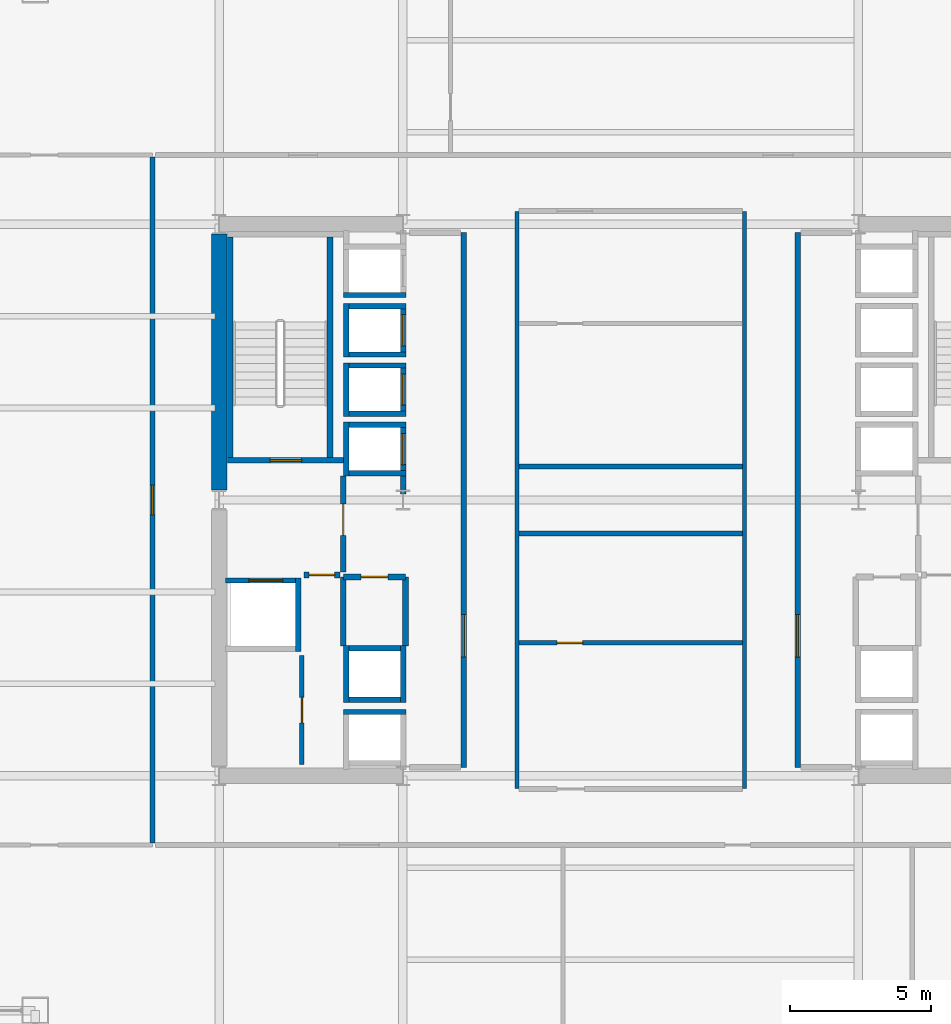
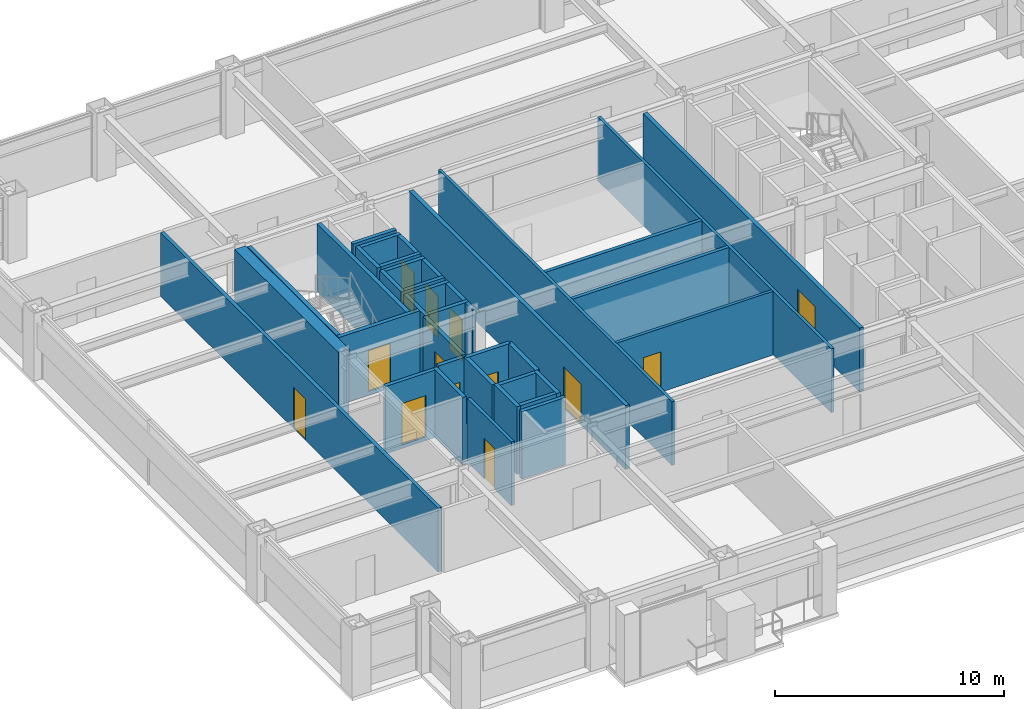
# One storey, part 26 of 31: 38 walls, 13 doors, 13 openings.
"""IFC4 building model written with IfcOpenShell, lengths in metres."""

from ifc_helpers import new_model, si_unit, direction, frame, frame_2d, origin, place, context, subcontext, project, spatial, rectangle, extrude, material, layer, layer_set, type_object, element, fill, save


model = new_model("IFC4")

# Units and contexts
model_context = context("Model", 3, precision=1e-05, world=origin(), true_north=direction((0.0, 1.0)))
body_context = subcontext(model_context, "Body", "Model", "MODEL_VIEW")
ifc_project = project(units=[si_unit("LENGTHUNIT", "METRE"), si_unit("AREAUNIT", "SQUARE_METRE"), si_unit("VOLUMEUNIT", "CUBIC_METRE"), si_unit("PLANEANGLEUNIT", "RADIAN"), si_unit("MASSUNIT", "GRAM", prefix="KILO")], contexts=[model_context])

# Site, building, storey
site_placement = place(None, origin())
site = spatial("IfcSite", under=ifc_project, at=site_placement, CompositionType="ELEMENT")
building_placement = place(site_placement, origin())
building = spatial("IfcBuilding", under=site, at=building_placement, Name="Brelmoor Portico Tower", CompositionType="ELEMENT")
storey_placement = place(building_placement, frame((0.0, 0.0, 27.60009765625)))
storey = spatial("IfcBuildingStorey", under=building, at=storey_placement, Name="L06", CompositionType="ELEMENT", Elevation=27.60009765625)

# Walls
ifc_material_1 = material(Name="Concrete C60", Category="concrete")
ifc_layer_1 = layer(ifc_material_1, 0.550048828125)
ifc_layer_set_1 = layer_set([ifc_layer_1], Name="Concrete C60")
wall_type_1 = type_object("IfcWallType", Name="WL-CORE-550", PredefinedType="SHEAR", material=ifc_layer_set_1)
wall_1_placement = place(storey_placement, frame((-14.550048828125, 0.35009765625, -0.2001953125), z_axis=(0.0, 0.0, 1.0), x_axis=(0.0, 1.0, 0.0)))
element("IfcWall", 1, at=wall_1_placement, inside=storey, type_object=wall_type_1, Name="L06 WC Outer North Shear Wall", PredefinedType="SHEAR", context=body_context, shape_type="SweptSolid", body=[
    extrude(rectangle(XDim=9.0498046875, YDim=0.550048828125, at=frame_2d((4.52490234375, 0.0))), origin(), (0.0, 0.0, 1.0), 3.60009765625),
])
ifc_material_2 = material(Name="Wet-Area Moisture-Resistant Partition", Category="gypsum")
ifc_layer_2 = layer(ifc_material_2, 0.14990234375)
ifc_layer_set_2 = layer_set([ifc_layer_2], Name="Wet-Area Moisture-Resistant Partition")
wall_type_2 = type_object("IfcWallType", Name="WL-PART-150", PredefinedType="PARTITIONING", material=ifc_layer_set_2)
for number, where, z_axis, x_axis, name in (
    (2, (-4.02001953125, -10.199951171875, 0.0), (0.0, 0.0, 1.0), (0.0, 1.0, 0.0), "L06 Central Suite West Wall"),
    (3, (4.02001953125, -10.199951171875, 0.0), (0.0, 0.0, 1.0), (0.0, 1.0, 0.0), "L06 Central Suite East Wall"),
):
    element("IfcWall", number, at=place(storey_placement, frame(where, z_axis=z_axis, x_axis=x_axis)), inside=storey, type_object=wall_type_2, Name=name, PredefinedType="PARTITIONING", context=body_context, shape_type="SweptSolid", body=[
        extrude(rectangle(XDim=20.39990234375, YDim=0.14990234375, at=frame_2d((10.199951171875, 0.0))), origin(), (0.0, 0.0, 1.0), 3.39990234375),
    ])

# Wall, opening, door
wall_2_placement = place(storey_placement, frame((-3.949951171875, -5.050048828125, 0.0), z_axis=(0.0, 0.0, 1.0), x_axis=(1.0, 0.0, 0.0)))
wall_2 = element("IfcWall", 4, at=wall_2_placement, inside=storey, type_object=wall_type_2, Name="L06 Central Print Divider", PredefinedType="PARTITIONING", context=body_context, shape_type="SweptSolid", body=[
    extrude(rectangle(XDim=7.89990234375, YDim=0.14990234375, at=frame_2d((3.949951171875, 0.0))), origin(), (0.0, 0.0, 1.0), 3.39990234375),
])
opening_1_placement = place(wall_2_placement, frame((1.35009765625, 0.0, 0.0)))
opening_1 = element("IfcOpeningElement", 5, at=opening_1_placement, cuts=wall_2, Name="Opening D-IN1", PredefinedType="OPENING", context=body_context, shape_type="SweptSolid", body=[
    extrude(rectangle(XDim=0.89990234375, YDim=2.14990234375, at=frame_2d((0.449951171875, 1.074951171875))), frame((0.0, 0.0849609375, 0.0), z_axis=(0.0, -1.0, 0.0), x_axis=(1.0, 0.0, 0.0)), (0.0, 0.0, 1.0), 0.169921875),
])
ifc_material_3 = material(Name="Lacquered Timber Suite Door", Category="wood")
door_type_1 = type_object("IfcDoorType", Name="DR-INT-900", OperationType="NOTDEFINED", PredefinedType="DOOR", material=ifc_material_3)
door_1_placement = place(opening_1_placement, origin())
door_1 = element("IfcDoor", 6, at=door_1_placement, inside=storey, type_object=door_type_1, Name="D-0269 L06 Central Print Studio Door", OperationType="SINGLE_SWING_RIGHT", OverallHeight=2.14990234375, OverallWidth=0.89990234375, PredefinedType="DOOR", context=body_context, shape_type="SweptSolid", body=[
    extrude(rectangle(XDim=0.89990234375, YDim=2.14990234375, at=frame_2d((0.449951171875, 1.074951171875))), frame((0.0, 0.02490234375, 0.0), z_axis=(0.0, -1.0, 0.0), x_axis=(1.0, 0.0, 0.0)), (0.0, 0.0, 1.0), 0.050048828125),
])
fill(opening_1, door_1)

ifc_material_4 = material(Name="Twin-Frame Acoustic Partition", Category="gypsum")
ifc_layer_3 = layer(ifc_material_4, 0.159912109375)
ifc_layer_set_3 = layer_set([ifc_layer_3], Name="Twin-Frame Acoustic Partition")
wall_type_3 = type_object("IfcWallType", Name="WL-PART-160", PredefinedType="PARTITIONING", material=ifc_layer_set_3)
wall_3_placement = place(storey_placement, frame((-11.6201171875, -9.35009765625, 0.0), z_axis=(0.0, 0.0, 1.0), x_axis=(0.0, 1.0, 0.0)))
wall_3 = element("IfcWall", 7, at=wall_3_placement, inside=storey, type_object=wall_type_3, Name="L06 W Core Service Front Wall", PredefinedType="PARTITIONING", context=body_context, shape_type="SweptSolid", body=[
    extrude(rectangle(XDim=3.85009765625, YDim=0.159912109375, at=frame_2d((1.925048828125, 0.0))), origin(), (0.0, 0.0, 1.0), 3.39990234375),
])
opening_2_placement = place(wall_3_placement, frame((1.47509765625, 0.0, 0.0)))
opening_2 = element("IfcOpeningElement", 8, at=opening_2_placement, cuts=wall_3, Name="Opening D-IN1", PredefinedType="OPENING", context=body_context, shape_type="SweptSolid", body=[
    extrude(rectangle(XDim=0.89990234375, YDim=2.14990234375, at=frame_2d((0.449951171875, 1.074951171875))), frame((0.0, 0.08984375, 0.0), z_axis=(0.0, -1.0, 0.0), x_axis=(1.0, 0.0, 0.0)), (0.0, 0.0, 1.0), 0.179931640625),
])
door_2_placement = place(opening_2_placement, origin())
door_2 = element("IfcDoor", 9, at=door_2_placement, inside=storey, type_object=door_type_1, Name="D-0273 L06 W Accessible WC Door", OperationType="SINGLE_SWING_RIGHT", OverallHeight=2.14990234375, OverallWidth=0.89990234375, PredefinedType="DOOR", context=body_context, shape_type="SweptSolid", body=[
    extrude(rectangle(XDim=0.89990234375, YDim=2.14990234375, at=frame_2d((0.449951171875, 1.074951171875))), frame((0.0, 0.02490234375, 0.0), z_axis=(0.0, -1.0, 0.0), x_axis=(1.0, 0.0, 0.0)), (0.0, 0.0, 1.0), 0.050048828125),
])
fill(opening_2, door_2)

# Walls
ifc_material_5 = material(Name="Acoustic Corridor Fire Partition", Category="gypsum")
ifc_layer_4 = layer(ifc_material_5, 0.179931640625)
ifc_layer_set_4 = layer_set([ifc_layer_4], Name="Acoustic Corridor Fire Partition")
wall_type_4 = type_object("IfcWallType", Name="WL-PART-180", PredefinedType="PARTITIONING", material=ifc_layer_set_4)
for number, where, z_axis, x_axis, name in (
    (10, (-3.949951171875, 1.179931640625, 0.0), (0.0, 0.0, 1.0), (1.0, 0.0, 0.0), "L06 Central Meeting South Wall"),
    (11, (-3.949951171875, -1.179931640625, 0.0), (0.0, 0.0, 1.0), (1.0, 0.0, 0.0), "L06 Central Pantry North Wall"),
):
    element("IfcWall", number, at=place(storey_placement, frame(where, z_axis=z_axis, x_axis=x_axis)), inside=storey, type_object=wall_type_4, Name=name, PredefinedType="PARTITIONING", context=body_context, shape_type="SweptSolid", body=[
        extrude(rectangle(XDim=7.89990234375, YDim=0.179931640625, at=frame_2d((3.949951171875, 0.0))), origin(), (0.0, 0.0, 1.0), 3.39990234375),
    ])

# Wall, opening, door
wall_4_placement = place(storey_placement, frame((-16.89990234375, -12.1201171875, 0.0), z_axis=(0.0, 0.0, 1.0), x_axis=(0.0, 1.0, 0.0)))
wall_4 = element("IfcWall", 12, at=wall_4_placement, inside=storey, type_object=wall_type_4, Name="L06 W Wing Corridor Wall", PredefinedType="PARTITIONING", context=body_context, shape_type="SweptSolid", body=[
    extrude(rectangle(XDim=24.240234375, YDim=0.179931640625, at=frame_2d((12.1201171875, 0.0))), origin(), (0.0, 0.0, 1.0), 3.39990234375),
])
opening_3_placement = place(wall_4_placement, frame((11.590087890625, 0.0, 0.0)))
opening_3 = element("IfcOpeningElement", 13, at=opening_3_placement, cuts=wall_4, Name="Opening D-OF2", PredefinedType="OPENING", context=body_context, shape_type="SweptSolid", body=[
    extrude(rectangle(XDim=1.06005859375, YDim=2.199951171875, at=frame_2d((0.530029296875, 1.10009765625))), frame((0.0, 0.099853515625, 0.0), z_axis=(0.0, -1.0, 0.0), x_axis=(1.0, 0.0, 0.0)), (0.0, 0.0, 1.0), 0.199951171875),
])
ifc_material_6 = material(Name="Hardwood Acoustic Veneer Door", Category="wood")
door_type_2 = type_object("IfcDoorType", Name="DR-OFFICE-1050", OperationType="NOTDEFINED", PredefinedType="DOOR", material=ifc_material_6)
door_3_placement = place(opening_3_placement, origin())
door_3 = element("IfcDoor", 14, at=door_3_placement, inside=storey, type_object=door_type_2, Name="D-0300 L06 W Partner Cellular Office 1 Door", OperationType="SINGLE_SWING_RIGHT", OverallHeight=2.199951171875, OverallWidth=1.06005859375, PredefinedType="DOOR", context=body_context, shape_type="SweptSolid", body=[
    extrude(rectangle(XDim=1.06005859375, YDim=2.199951171875, at=frame_2d((0.530029296875, 1.10009765625))), frame((0.0, 0.02490234375, 0.0), z_axis=(0.0, -1.0, 0.0), x_axis=(1.0, 0.0, 0.0)), (0.0, 0.0, 1.0), 0.050048828125),
])
fill(opening_3, door_3)

ifc_material_7 = material(Name="Double-Stud Gypsum Fire Partition", Category="gypsum")
ifc_layer_5 = layer(ifc_material_7, 0.199951171875)
ifc_layer_set_5 = layer_set([ifc_layer_5], Name="Double-Stud Gypsum Fire Partition")
wall_type_5 = type_object("IfcWallType", Name="WL-PART-200", PredefinedType="PARTITIONING", material=ifc_layer_set_5)
wall_5_placement = place(storey_placement, frame((-5.89990234375, -9.449951171875, 0.0), z_axis=(0.0, 0.0, 1.0), x_axis=(0.0, 1.0, 0.0)))
wall_5 = element("IfcWall", 15, at=wall_5_placement, inside=storey, type_object=wall_type_5, Name="L06 W Core Lobby Compartment Wall", PredefinedType="PARTITIONING", context=body_context, shape_type="SweptSolid", body=[
    extrude(rectangle(XDim=18.89990234375, YDim=0.199951171875, at=frame_2d((9.449951171875, 0.0))), origin(), (0.0, 0.0, 1.0), 3.39990234375),
])
opening_4_placement = place(wall_5_placement, frame((3.89990234375, 0.0, 0.0)))
opening_4 = element("IfcOpeningElement", 16, at=opening_4_placement, cuts=wall_5, Name="Opening D-LB1", PredefinedType="OPENING", context=body_context, shape_type="SweptSolid", body=[
    extrude(rectangle(XDim=1.5, YDim=2.199951171875, at=frame_2d((0.75, 1.10009765625))), frame((0.0, 0.10986328125, 0.0), z_axis=(0.0, -1.0, 0.0), x_axis=(1.0, 0.0, 0.0)), (0.0, 0.0, 1.0), 0.219970703125),
])
ifc_material_8 = material(Name="Double-Leaf Glazed Steel Fire Door", Category="steel")
door_type_3 = type_object("IfcDoorType", Name="DR-LOBBY-1500", OperationType="NOTDEFINED", PredefinedType="DOOR", material=ifc_material_8)
door_4_placement = place(opening_4_placement, origin())
door_4 = element("IfcDoor", 17, at=door_4_placement, inside=storey, type_object=door_type_3, Name="D-0279 L06 W Lift Lobby Main Door", OperationType="DOUBLE_DOOR_SINGLE_SWING", OverallHeight=2.199951171875, OverallWidth=1.5, PredefinedType="DOOR", context=body_context, shape_type="SweptSolid", body=[
    extrude(rectangle(XDim=1.5, YDim=2.199951171875, at=frame_2d((0.75, 1.10009765625))), frame((0.0, 0.02490234375, 0.0), z_axis=(0.0, -1.0, 0.0), x_axis=(1.0, 0.0, 0.0)), (0.0, 0.0, 1.0), 0.050048828125),
])
fill(opening_4, door_4)

wall_6_placement = place(storey_placement, frame((-10.159912109375, -2.550048828125, 0.0), z_axis=(0.0, 0.0, 1.0), x_axis=(0.0, 1.0, 0.0)))
wall_6 = element("IfcWall", 18, at=wall_6_placement, inside=storey, type_object=wall_type_5, Name="L06 W Firefighting Lobby Wall", PredefinedType="PARTITIONING", context=body_context, shape_type="SweptSolid", body=[
    extrude(rectangle(XDim=3.400146484375, YDim=0.199951171875, at=frame_2d((1.7001953125, 0.0))), origin(), (0.0, 0.0, 1.0), 3.39990234375),
])
opening_5_placement = place(wall_6_placement, frame((1.300048828125, 0.0, 0.0)))
opening_5 = element("IfcOpeningElement", 19, at=opening_5_placement, cuts=wall_6, Name="Opening D-FR1", PredefinedType="OPENING", context=body_context, shape_type="SweptSolid", body=[
    extrude(rectangle(XDim=1.10009765625, YDim=2.14990234375, at=frame_2d((0.550048828125, 1.074951171875))), frame((0.0, 0.10986328125, 0.0), z_axis=(0.0, -1.0, 0.0), x_axis=(1.0, 0.0, 0.0)), (0.0, 0.0, 1.0), 0.219970703125),
])
ifc_material_9 = material(Name="Painted Galvanised Steel Fire Door", Category="steel")
door_type_4 = type_object("IfcDoorType", Name="DR-FIRE-1100", OperationType="NOTDEFINED", PredefinedType="DOOR", material=ifc_material_9)
door_5_placement = place(opening_5_placement, origin())
door_5 = element("IfcDoor", 20, at=door_5_placement, inside=storey, type_object=door_type_4, Name="D-0277 L06 W Firefighting Lobby Door", OperationType="SINGLE_SWING_LEFT", OverallHeight=2.14990234375, OverallWidth=1.10009765625, PredefinedType="DOOR", context=body_context, shape_type="SweptSolid", body=[
    extrude(rectangle(XDim=1.10009765625, YDim=2.14990234375, at=frame_2d((0.550048828125, 1.074951171875))), frame((0.0, 0.02490234375, 0.0), z_axis=(0.0, -1.0, 0.0), x_axis=(1.0, 0.0, 0.0)), (0.0, 0.0, 1.0), 0.050048828125),
])
fill(opening_5, door_5)

wall_7_placement = place(storey_placement, frame((-10.280029296875, -2.64990234375, 0.0), z_axis=(0.0, 0.0, 1.0), x_axis=(-1.0, 0.0, 0.0)))
wall_7 = element("IfcWall", 21, at=wall_7_placement, inside=storey, type_object=wall_type_5, Name="L06 W Firefighting Lobby South Wall", PredefinedType="PARTITIONING", context=body_context, shape_type="SweptSolid", body=[
    extrude(rectangle(XDim=1.27001953125, YDim=0.199951171875, at=frame_2d((0.635009765625, 0.0))), origin(), (0.0, 0.0, 1.0), 3.39990234375),
])
opening_6_placement = place(wall_7_placement, frame((0.18505859375, 0.0, 0.0)))
opening_6 = element("IfcOpeningElement", 22, at=opening_6_placement, cuts=wall_7, Name="Opening D-IN1", PredefinedType="OPENING", context=body_context, shape_type="SweptSolid", body=[
    extrude(rectangle(XDim=0.89990234375, YDim=2.14990234375, at=frame_2d((0.449951171875, 1.074951171875))), frame((0.0, 0.10986328125, 0.0), z_axis=(0.0, -1.0, 0.0), x_axis=(1.0, 0.0, 0.0)), (0.0, 0.0, 1.0), 0.219970703125),
])
door_6_placement = place(opening_6_placement, origin())
door_6 = element("IfcDoor", 23, at=door_6_placement, inside=storey, type_object=door_type_1, Name="D-0272 L06 W Core Service Vestibule Door", OperationType="SINGLE_SWING_RIGHT", OverallHeight=2.14990234375, OverallWidth=0.89990234375, PredefinedType="DOOR", context=body_context, shape_type="SweptSolid", body=[
    extrude(rectangle(XDim=0.89990234375, YDim=2.14990234375, at=frame_2d((0.449951171875, 1.074951171875))), frame((0.0, 0.02490234375, 0.0), z_axis=(0.0, -1.0, 0.0), x_axis=(1.0, 0.0, 0.0)), (0.0, 0.0, 1.0), 0.050048828125),
])
fill(opening_6, door_6)

wall_8_placement = place(storey_placement, frame((-7.9599609375, -2.719970703125, 0.0), z_axis=(0.0, 0.0, 1.0), x_axis=(-1.0, 0.0, 0.0)))
wall_8 = element("IfcWall", 24, at=wall_8_placement, inside=storey, type_object=wall_type_5, Name="L06 W Electrical Switchgear Closet Wall", PredefinedType="PARTITIONING", context=body_context, shape_type="SweptSolid", body=[
    extrude(rectangle(XDim=2.199951171875, YDim=0.199951171875, at=frame_2d((1.10009765625, 0.0))), origin(), (0.0, 0.0, 1.0), 3.39990234375),
])
opening_7_placement = place(wall_8_placement, frame((0.6201171875, 0.0, 0.0)))
opening_7 = element("IfcOpeningElement", 25, at=opening_7_placement, cuts=wall_8, Name="Opening D-FR4", PredefinedType="OPENING", context=body_context, shape_type="SweptSolid", body=[
    extrude(rectangle(XDim=0.949951171875, YDim=2.10009765625, at=frame_2d((0.47509765625, 1.050048828125))), frame((0.0, 0.10986328125, 0.0), z_axis=(0.0, -1.0, 0.0), x_axis=(1.0, 0.0, 0.0)), (0.0, 0.0, 1.0), 0.219970703125),
])
ifc_material_10 = material(Name="Painted Galvanised Steel Riser Door", Category="steel")
door_type_5 = type_object("IfcDoorType", Name="DR-FIRE-950", OperationType="NOTDEFINED", PredefinedType="DOOR", material=ifc_material_10)
door_7_placement = place(opening_7_placement, origin())
door_7 = element("IfcDoor", 26, at=door_7_placement, inside=storey, type_object=door_type_5, Name="D-0275 L06 W Electrical Switchgear Closet Door", OperationType="SINGLE_SWING_LEFT", OverallHeight=2.10009765625, OverallWidth=0.949951171875, PredefinedType="DOOR", context=body_context, shape_type="SweptSolid", body=[
    extrude(rectangle(XDim=0.949951171875, YDim=2.10009765625, at=frame_2d((0.47509765625, 1.050048828125))), frame((0.0, 0.02490234375, 0.0), z_axis=(0.0, -1.0, 0.0), x_axis=(1.0, 0.0, 0.0)), (0.0, 0.0, 1.0), 0.050048828125),
])
fill(opening_7, door_7)

# Walls
for number, where, z_axis, x_axis, name in (
    (27, (-7.9599609375, -5.159912109375, 0.0), (0.0, 0.0, 1.0), (0.0, 1.0, 0.0), "L06 W Electrical Switchgear Closet Inner Wall"),
    (28, (-10.159912109375, -5.159912109375, 0.0), (0.0, 0.0, 1.0), (0.0, 1.0, 0.0), "L06 W Electrical Switchgear Closet Outer Wall"),
):
    element("IfcWall", number, at=place(storey_placement, frame(where, z_axis=z_axis, x_axis=x_axis)), inside=storey, type_object=wall_type_5, Name=name, PredefinedType="PARTITIONING", context=body_context, shape_type="SweptSolid", body=[
        extrude(rectangle(XDim=2.43994140625, YDim=0.199951171875, at=frame_2d((1.219970703125, 0.0))), origin(), (0.0, 0.0, 1.0), 3.39990234375),
    ])

# Wall, opening, door
wall_9_placement = place(storey_placement, frame((5.89990234375, -9.449951171875, 0.0), z_axis=(0.0, 0.0, 1.0), x_axis=(0.0, 1.0, 0.0)))
wall_9 = element("IfcWall", 29, at=wall_9_placement, inside=storey, type_object=wall_type_5, Name="L06 E Core Lobby Compartment Wall", PredefinedType="PARTITIONING", context=body_context, shape_type="SweptSolid", body=[
    extrude(rectangle(XDim=18.89990234375, YDim=0.199951171875, at=frame_2d((9.449951171875, 0.0))), origin(), (0.0, 0.0, 1.0), 3.39990234375),
])
opening_8_placement = place(wall_9_placement, frame((3.89990234375, 0.0, 0.0)))
opening_8 = element("IfcOpeningElement", 30, at=opening_8_placement, cuts=wall_9, Name="Opening D-LB1", PredefinedType="OPENING", context=body_context, shape_type="SweptSolid", body=[
    extrude(rectangle(XDim=1.5, YDim=2.199951171875, at=frame_2d((0.75, 1.10009765625))), frame((0.0, 0.10986328125, 0.0), z_axis=(0.0, -1.0, 0.0), x_axis=(1.0, 0.0, 0.0)), (0.0, 0.0, 1.0), 0.219970703125),
])
door_8_placement = place(opening_8_placement, origin())
door_8 = element("IfcDoor", 31, at=door_8_placement, inside=storey, type_object=door_type_3, Name="D-0278 L06 E Lift Lobby Main Door", OperationType="DOUBLE_DOOR_SINGLE_SWING", OverallHeight=2.199951171875, OverallWidth=1.5, PredefinedType="DOOR", context=body_context, shape_type="SweptSolid", body=[
    extrude(rectangle(XDim=1.5, YDim=2.199951171875, at=frame_2d((0.75, 1.10009765625))), frame((0.0, 0.02490234375, 0.0), z_axis=(0.0, -1.0, 0.0), x_axis=(1.0, 0.0, 0.0)), (0.0, 0.0, 1.0), 0.050048828125),
])
fill(opening_8, door_8)

ifc_material_11 = material(Name="Precast Concrete C40", Category="concrete")
ifc_layer_6 = layer(ifc_material_11, 0.18994140625)
ifc_layer_set_6 = layer_set([ifc_layer_6], Name="Precast Concrete C40")
wall_type_6 = type_object("IfcWallType", Name="WL-SHAFT-180", PredefinedType="SOLIDWALL", material=ifc_layer_set_6)
wall_10_placement = place(storey_placement, frame((-8.044921875, 0.2099609375, -0.2001953125), z_axis=(0.0, 0.0, 1.0), x_axis=(0.0, 1.0, 0.0)))
wall_10 = element("IfcWall", 32, at=wall_10_placement, inside=storey, type_object=wall_type_6, Name="L06 Lift PL1 Hoistway Front Wall", PredefinedType="SOLIDWALL", context=body_context, shape_type="SweptSolid", body=[
    extrude(rectangle(XDim=2.5400390625, YDim=0.18994140625, at=frame_2d((1.27001953125, 0.0))), origin(), (0.0, 0.0, 1.0), 3.60009765625),
])
opening_9_placement = place(wall_10_placement, frame((1.0400390625, 0.0, 0.199951171875)))
opening_9 = element("IfcOpeningElement", 33, at=opening_9_placement, cuts=wall_10, Name="Opening LD-01", PredefinedType="OPENING", context=body_context, shape_type="SweptSolid", body=[
    extrude(rectangle(XDim=1.10009765625, YDim=2.199951171875, at=frame_2d((0.550048828125, 1.10009765625))), frame((0.0, 0.10498046875, 0.0), z_axis=(0.0, -1.0, 0.0), x_axis=(1.0, 0.0, 0.0)), (0.0, 0.0, 1.0), 0.2099609375),
])
ifc_material_12 = material(Name="Brushed Stainless Steel Sliding Lift Door", Category="steel")
door_type_6 = type_object("IfcDoorType", Name="DR-LIFT-1100", OperationType="NOTDEFINED", PredefinedType="DOOR", material=ifc_material_12)
door_9_placement = place(opening_9_placement, origin())
door_9 = element("IfcDoor", 34, at=door_9_placement, inside=storey, type_object=door_type_6, Name="D-0303 L06 Lift PL1 Sliding Landing Door", OperationType="SLIDING_TO_LEFT", OverallHeight=2.199951171875, OverallWidth=1.10009765625, PredefinedType="DOOR", context=body_context, shape_type="SweptSolid", body=[
    extrude(rectangle(XDim=1.10009765625, YDim=2.199951171875, at=frame_2d((0.550048828125, 1.10009765625))), frame((0.0, 0.02490234375, 0.0), z_axis=(0.0, -1.0, 0.0), x_axis=(1.0, 0.0, 0.0)), (0.0, 0.0, 1.0), 0.050048828125),
])
fill(opening_9, door_9)

# Walls
wall_11_placement = place(storey_placement, frame((-10.054931640625, 0.85009765625, -0.2001953125), z_axis=(0.0, 0.0, 1.0), x_axis=(0.0, 1.0, 0.0)))
element("IfcWall", 35, at=wall_11_placement, inside=storey, type_object=wall_type_6, Name="L06 Lift PL1 Hoistway Back Wall", PredefinedType="SOLIDWALL", context=body_context, shape_type="SweptSolid", body=[
    extrude(rectangle(XDim=1.89990234375, YDim=0.18994140625, at=frame_2d((0.949951171875, 0.0))), origin(), (0.0, 0.0, 1.0), 3.60009765625),
])
for number, where, z_axis, x_axis, name in (
    (36, (-10.14990234375, 2.655029296875, -0.2001953125), (0.0, 0.0, 1.0), (1.0, 0.0, 0.0), "L06 Lift PL1 Hoistway North Wall"),
    (37, (-10.14990234375, 0.945068359375, -0.2001953125), (0.0, 0.0, 1.0), (1.0, 0.0, 0.0), "L06 Lift PL1 Hoistway South Wall"),
):
    element("IfcWall", number, at=place(storey_placement, frame(where, z_axis=z_axis, x_axis=x_axis)), inside=storey, type_object=wall_type_6, Name=name, PredefinedType="SOLIDWALL", context=body_context, shape_type="SweptSolid", body=[
        extrude(rectangle(XDim=2.199951171875, YDim=0.18994140625, at=frame_2d((1.10009765625, 0.0))), origin(), (0.0, 0.0, 1.0), 3.60009765625),
    ])

# Wall, opening, door
wall_12_placement = place(storey_placement, frame((-8.044921875, 2.949951171875, -0.2001953125), z_axis=(0.0, 0.0, 1.0), x_axis=(0.0, 1.0, 0.0)))
wall_12 = element("IfcWall", 38, at=wall_12_placement, inside=storey, type_object=wall_type_6, Name="L06 Lift PL2 Hoistway Front Wall", PredefinedType="SOLIDWALL", context=body_context, shape_type="SweptSolid", body=[
    extrude(rectangle(XDim=1.900146484375, YDim=0.18994140625, at=frame_2d((0.9501953125, 0.0))), origin(), (0.0, 0.0, 1.0), 3.60009765625),
])
opening_10_placement = place(wall_12_placement, frame((0.39990234375, 0.0, 0.199951171875)))
opening_10 = element("IfcOpeningElement", 39, at=opening_10_placement, cuts=wall_12, Name="Opening LD-01", PredefinedType="OPENING", context=body_context, shape_type="SweptSolid", body=[
    extrude(rectangle(XDim=1.10009765625, YDim=2.199951171875, at=frame_2d((0.550048828125, 1.10009765625))), frame((0.0, 0.10498046875, 0.0), z_axis=(0.0, -1.0, 0.0), x_axis=(1.0, 0.0, 0.0)), (0.0, 0.0, 1.0), 0.2099609375),
])
door_10_placement = place(opening_10_placement, origin())
door_10 = element("IfcDoor", 40, at=door_10_placement, inside=storey, type_object=door_type_6, Name="D-0304 L06 Lift PL2 Sliding Landing Door", OperationType="SLIDING_TO_LEFT", OverallHeight=2.199951171875, OverallWidth=1.10009765625, PredefinedType="DOOR", context=body_context, shape_type="SweptSolid", body=[
    extrude(rectangle(XDim=1.10009765625, YDim=2.199951171875, at=frame_2d((0.550048828125, 1.10009765625))), frame((0.0, 0.02490234375, 0.0), z_axis=(0.0, -1.0, 0.0), x_axis=(1.0, 0.0, 0.0)), (0.0, 0.0, 1.0), 0.050048828125),
])
fill(opening_10, door_10)

# Walls
wall_13_placement = place(storey_placement, frame((-10.054931640625, 2.949951171875, -0.2001953125), z_axis=(0.0, 0.0, 1.0), x_axis=(0.0, 1.0, 0.0)))
element("IfcWall", 41, at=wall_13_placement, inside=storey, type_object=wall_type_6, Name="L06 Lift PL2 Hoistway Back Wall", PredefinedType="SOLIDWALL", context=body_context, shape_type="SweptSolid", body=[
    extrude(rectangle(XDim=1.900146484375, YDim=0.18994140625, at=frame_2d((0.9501953125, 0.0))), origin(), (0.0, 0.0, 1.0), 3.60009765625),
])
for number, where, z_axis, x_axis, name in (
    (42, (-10.14990234375, 4.7548828125, -0.2001953125), (0.0, 0.0, 1.0), (1.0, 0.0, 0.0), "L06 Lift PL2 Hoistway North Wall"),
    (43, (-10.14990234375, 3.044921875, -0.2001953125), (0.0, 0.0, 1.0), (1.0, 0.0, 0.0), "L06 Lift PL2 Hoistway South Wall"),
):
    element("IfcWall", number, at=place(storey_placement, frame(where, z_axis=z_axis, x_axis=x_axis)), inside=storey, type_object=wall_type_6, Name=name, PredefinedType="SOLIDWALL", context=body_context, shape_type="SweptSolid", body=[
        extrude(rectangle(XDim=2.199951171875, YDim=0.18994140625, at=frame_2d((1.10009765625, 0.0))), origin(), (0.0, 0.0, 1.0), 3.60009765625),
    ])

# Wall, opening, door
wall_14_placement = place(storey_placement, frame((-8.044921875, 5.050048828125, -0.2001953125), z_axis=(0.0, 0.0, 1.0), x_axis=(0.0, 1.0, 0.0)))
wall_14 = element("IfcWall", 44, at=wall_14_placement, inside=storey, type_object=wall_type_6, Name="L06 Lift PL3 Hoistway Front Wall", PredefinedType="SOLIDWALL", context=body_context, shape_type="SweptSolid", body=[
    extrude(rectangle(XDim=1.89990234375, YDim=0.18994140625, at=frame_2d((0.949951171875, 0.0))), origin(), (0.0, 0.0, 1.0), 3.60009765625),
])
opening_11_placement = place(wall_14_placement, frame((0.39990234375, 0.0, 0.199951171875)))
opening_11 = element("IfcOpeningElement", 45, at=opening_11_placement, cuts=wall_14, Name="Opening LD-01", PredefinedType="OPENING", context=body_context, shape_type="SweptSolid", body=[
    extrude(rectangle(XDim=1.10009765625, YDim=2.199951171875, at=frame_2d((0.550048828125, 1.10009765625))), frame((0.0, 0.10498046875, 0.0), z_axis=(0.0, -1.0, 0.0), x_axis=(1.0, 0.0, 0.0)), (0.0, 0.0, 1.0), 0.2099609375),
])
door_11_placement = place(opening_11_placement, origin())
door_11 = element("IfcDoor", 46, at=door_11_placement, inside=storey, type_object=door_type_6, Name="D-0305 L06 Lift PL3 Sliding Landing Door", OperationType="SLIDING_TO_LEFT", OverallHeight=2.199951171875, OverallWidth=1.10009765625, PredefinedType="DOOR", context=body_context, shape_type="SweptSolid", body=[
    extrude(rectangle(XDim=1.10009765625, YDim=2.199951171875, at=frame_2d((0.550048828125, 1.10009765625))), frame((0.0, 0.02490234375, 0.0), z_axis=(0.0, -1.0, 0.0), x_axis=(1.0, 0.0, 0.0)), (0.0, 0.0, 1.0), 0.050048828125),
])
fill(opening_11, door_11)

# Walls
wall_15_placement = place(storey_placement, frame((-10.054931640625, 5.050048828125, -0.2001953125), z_axis=(0.0, 0.0, 1.0), x_axis=(0.0, 1.0, 0.0)))
element("IfcWall", 47, at=wall_15_placement, inside=storey, type_object=wall_type_6, Name="L06 Lift PL3 Hoistway Back Wall", PredefinedType="SOLIDWALL", context=body_context, shape_type="SweptSolid", body=[
    extrude(rectangle(XDim=1.89990234375, YDim=0.18994140625, at=frame_2d((0.949951171875, 0.0))), origin(), (0.0, 0.0, 1.0), 3.60009765625),
])
for number, where, z_axis, x_axis, name in (
    (48, (-10.14990234375, 6.85498046875, -0.2001953125), (0.0, 0.0, 1.0), (1.0, 0.0, 0.0), "L06 Lift PL3 Hoistway North Wall"),
    (49, (-10.14990234375, 5.14501953125, -0.2001953125), (0.0, 0.0, 1.0), (1.0, 0.0, 0.0), "L06 Lift PL3 Hoistway South Wall"),
    (50, (-10.14990234375, 7.2451171875, -0.2001953125), (0.0, 0.0, 1.0), (1.0, 0.0, 0.0), "L06 Lift PL4 Hoistway South Wall"),
    (51, (-10.14990234375, -7.4951171875, -0.2001953125), (0.0, 0.0, 1.0), (1.0, 0.0, 0.0), "L06 Lift PH1 Hoistway North Wall"),
):
    element("IfcWall", number, at=place(storey_placement, frame(where, z_axis=z_axis, x_axis=x_axis)), inside=storey, type_object=wall_type_6, Name=name, PredefinedType="SOLIDWALL", context=body_context, shape_type="SweptSolid", body=[
        extrude(rectangle(XDim=2.199951171875, YDim=0.18994140625, at=frame_2d((1.10009765625, 0.0))), origin(), (0.0, 0.0, 1.0), 3.60009765625),
    ])
for number, where, z_axis, x_axis, name in (
    (52, (-8.044921875, -7.14990234375, -0.2001953125), (0.0, 0.0, 1.0), (0.0, 1.0, 0.0), "L06 Lift PH2 Hoistway Front Wall"),
    (53, (-10.054931640625, -7.14990234375, -0.2001953125), (0.0, 0.0, 1.0), (0.0, 1.0, 0.0), "L06 Lift PH2 Hoistway Back Wall"),
):
    element("IfcWall", number, at=place(storey_placement, frame(where, z_axis=z_axis, x_axis=x_axis)), inside=storey, type_object=wall_type_6, Name=name, PredefinedType="SOLIDWALL", context=body_context, shape_type="SweptSolid", body=[
        extrude(rectangle(XDim=2.0, YDim=0.18994140625, at=frame_2d((1.0, 0.0))), origin(), (0.0, 0.0, 1.0), 3.60009765625),
    ])
for number, where, z_axis, x_axis, name in (
    (54, (-10.14990234375, -5.2451171875, -0.2001953125), (0.0, 0.0, 1.0), (1.0, 0.0, 0.0), "L06 Lift PH2 Hoistway North Wall"),
    (55, (-10.14990234375, -7.054931640625, -0.2001953125), (0.0, 0.0, 1.0), (1.0, 0.0, 0.0), "L06 Lift PH2 Hoistway South Wall"),
):
    element("IfcWall", number, at=place(storey_placement, frame(where, z_axis=z_axis, x_axis=x_axis)), inside=storey, type_object=wall_type_6, Name=name, PredefinedType="SOLIDWALL", context=body_context, shape_type="SweptSolid", body=[
        extrude(rectangle(XDim=2.199951171875, YDim=0.18994140625, at=frame_2d((1.10009765625, 0.0))), origin(), (0.0, 0.0, 1.0), 3.60009765625),
    ])

# Wall, opening, door
wall_16_placement = place(storey_placement, frame((-14.330078125, -2.844970703125, -0.2001953125), z_axis=(0.0, 0.0, 1.0), x_axis=(1.0, 0.0, 0.0)))
wall_16 = element("IfcWall", 56, at=wall_16_placement, inside=storey, type_object=wall_type_6, Name="L06 Lift FF1 Hoistway Front Wall", PredefinedType="SOLIDWALL", context=body_context, shape_type="SweptSolid", body=[
    extrude(rectangle(XDim=2.68017578125, YDim=0.18994140625, at=frame_2d((1.340087890625, 0.0))), origin(), (0.0, 0.0, 1.0), 3.60009765625),
])
opening_12_placement = place(wall_16_placement, frame((0.830078125, 0.0, 0.199951171875)))
opening_12 = element("IfcOpeningElement", 57, at=opening_12_placement, cuts=wall_16, Name="Opening LD-02", PredefinedType="OPENING", context=body_context, shape_type="SweptSolid", body=[
    extrude(rectangle(XDim=1.199951171875, YDim=2.199951171875, at=frame_2d((0.60009765625, 1.10009765625))), frame((0.0, 0.10498046875, 0.0), z_axis=(0.0, -1.0, 0.0), x_axis=(1.0, 0.0, 0.0)), (0.0, 0.0, 1.0), 0.2099609375),
])
ifc_material_13 = material(Name="Brushed Stainless Steel Firefighting Lift Door", Category="steel")
door_type_7 = type_object("IfcDoorType", Name="DR-LIFT-1200", OperationType="NOTDEFINED", PredefinedType="DOOR", material=ifc_material_13)
door_12_placement = place(opening_12_placement, origin())
door_12 = element("IfcDoor", 58, at=door_12_placement, inside=storey, type_object=door_type_7, Name="D-0301 L06 Lift FF1 Sliding Landing Door", OperationType="SLIDING_TO_LEFT", OverallHeight=2.199951171875, OverallWidth=1.199951171875, PredefinedType="DOOR", context=body_context, shape_type="SweptSolid", body=[
    extrude(rectangle(XDim=1.199951171875, YDim=2.199951171875, at=frame_2d((0.60009765625, 1.10009765625))), frame((0.0, 0.02490234375, 0.0), z_axis=(0.0, -1.0, 0.0), x_axis=(1.0, 0.0, 0.0)), (0.0, 0.0, 1.0), 0.050048828125),
])
fill(opening_12, door_12)

# Walls
wall_17_placement = place(storey_placement, frame((-11.7451171875, -5.35009765625, -0.2001953125), z_axis=(0.0, 0.0, 1.0), x_axis=(0.0, 1.0, 0.0)))
element("IfcWall", 59, at=wall_17_placement, inside=storey, type_object=wall_type_6, Name="L06 Firefighting Lift FF1 Inner Wall", PredefinedType="SOLIDWALL", context=body_context, shape_type="SweptSolid", body=[
    extrude(rectangle(XDim=2.60009765625, YDim=0.18994140625, at=frame_2d((1.300048828125, 0.0))), origin(), (0.0, 0.0, 1.0), 3.60009765625),
])
ifc_material_14 = material(Name="Concrete C40", Category="concrete")
ifc_layer_7 = layer(ifc_material_14, 0.199951171875)
ifc_layer_set_7 = layer_set([ifc_layer_7], Name="Concrete C40")
wall_type_7 = type_object("IfcWallType", Name="WL-SHAFT-RC200", PredefinedType="SOLIDWALL", material=ifc_layer_set_7)
wall_18_placement = place(storey_placement, frame((-14.14990234375, 1.5, -0.2001953125), z_axis=(0.0, 0.0, 1.0), x_axis=(0.0, 1.0, 0.0)))
element("IfcWall", 60, at=wall_18_placement, inside=storey, type_object=wall_type_7, Name="L06 ST-W Structural Stair Wall Outer", PredefinedType="SOLIDWALL", context=body_context, shape_type="SweptSolid", body=[
    extrude(rectangle(XDim=7.800048828125, YDim=0.199951171875, at=frame_2d((3.89990234375, 0.0))), origin(), (0.0, 0.0, 1.0), 3.60009765625),
])

# Wall, opening, door
wall_19_placement = place(storey_placement, frame((-14.25, 1.39990234375, -0.2001953125), z_axis=(0.0, 0.0, 1.0), x_axis=(1.0, 0.0, 0.0)))
wall_19 = element("IfcWall", 61, at=wall_19_placement, inside=storey, type_object=wall_type_7, Name="L06 ST-W Structural Stair Wall S", PredefinedType="SOLIDWALL", context=body_context, shape_type="SweptSolid", body=[
    extrude(rectangle(XDim=4.10009765625, YDim=0.199951171875, at=frame_2d((2.050048828125, 0.0))), origin(), (0.0, 0.0, 1.0), 3.60009765625),
])
opening_13_placement = place(wall_19_placement, frame((1.5, 0.0, 0.199951171875)))
opening_13 = element("IfcOpeningElement", 62, at=opening_13_placement, cuts=wall_19, Name="Opening D-ST1", PredefinedType="OPENING", context=body_context, shape_type="SweptSolid", body=[
    extrude(rectangle(XDim=1.1201171875, YDim=2.179931640625, at=frame_2d((0.56005859375, 1.08984375))), frame((0.0, 0.10986328125, 0.0), z_axis=(0.0, -1.0, 0.0), x_axis=(1.0, 0.0, 0.0)), (0.0, 0.0, 1.0), 0.219970703125),
])
door_type_8 = type_object("IfcDoorType", Name="DR-STAIR-1100", OperationType="NOTDEFINED", PredefinedType="DOOR", material=ifc_material_9)
door_13_placement = place(opening_13_placement, origin())
door_13 = element("IfcDoor", 63, at=door_13_placement, inside=storey, type_object=door_type_8, Name="D-0291 L06 ST-W Protected Exit Stair Door", OperationType="SINGLE_SWING_LEFT", OverallHeight=2.179931640625, OverallWidth=1.1201171875, PredefinedType="DOOR", context=body_context, shape_type="SweptSolid", body=[
    extrude(rectangle(XDim=1.1201171875, YDim=2.179931640625, at=frame_2d((0.56005859375, 1.08984375))), frame((0.0, 0.02490234375, 0.0), z_axis=(0.0, -1.0, 0.0), x_axis=(1.0, 0.0, 0.0)), (0.0, 0.0, 1.0), 0.050048828125),
])
fill(opening_13, door_13)

# Wall
wall_20_placement = place(storey_placement, frame((-10.6298828125, 1.5, -0.2001953125), z_axis=(0.0, 0.0, 1.0), x_axis=(0.0, 1.0, 0.0)))
element("IfcWall", 64, at=wall_20_placement, inside=storey, type_object=wall_type_7, Name="L06 ST-W Structural Stair Wall Inner", PredefinedType="SOLIDWALL", context=body_context, shape_type="SweptSolid", body=[
    extrude(rectangle(XDim=7.800048828125, YDim=0.199951171875, at=frame_2d((3.89990234375, 0.0))), origin(), (0.0, 0.0, 1.0), 3.60009765625),
])

save(model, "model.ifc")
